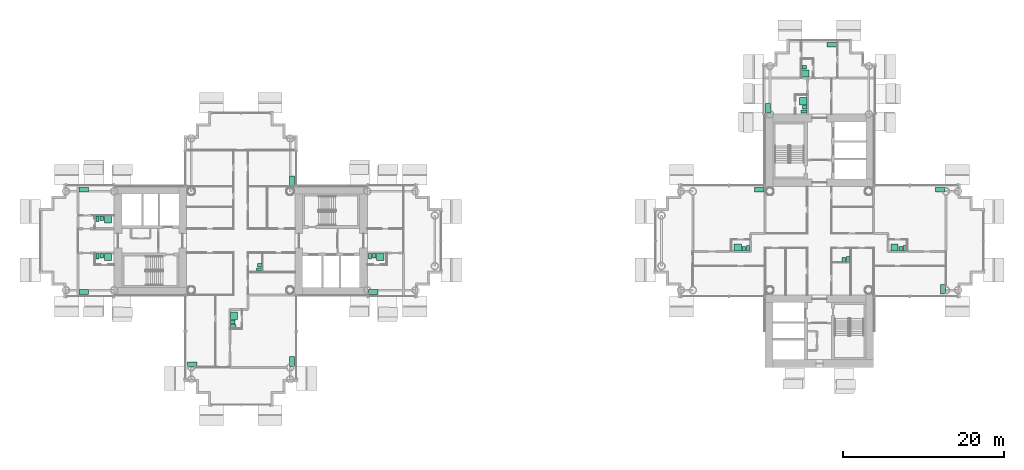
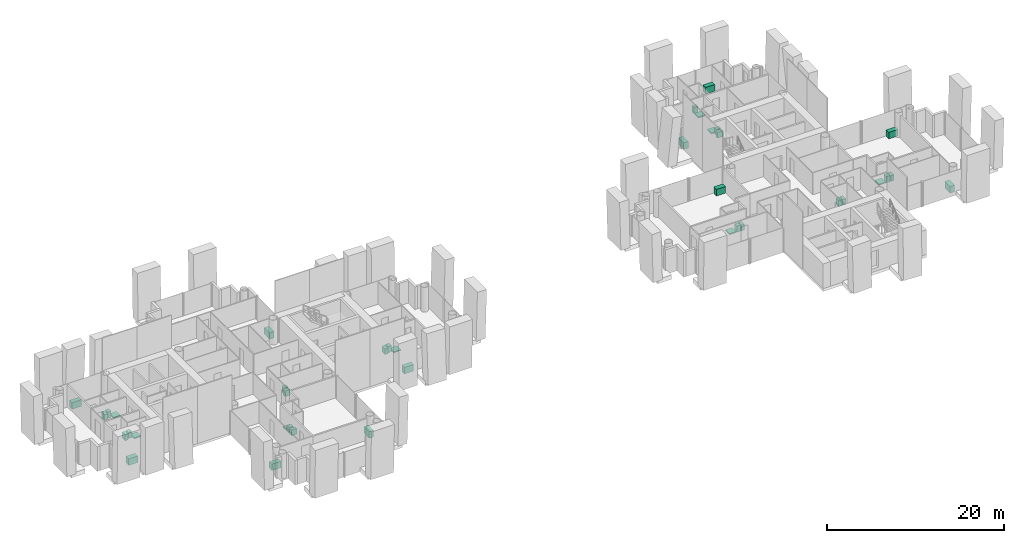
# One storey, part 20 of 20: 38 sanitary terminals.
"""IFC4 building model written with IfcOpenShell, lengths in metres."""

from ifc_helpers import new_model, si_unit, direction, frame, origin, origin_2d, place, context, subcontext, project, spatial, rectangle, extrude, material, type_object, element, save


model = new_model("IFC4")

# Units and contexts
model_context = context("Model", 3, precision=1e-05, world=origin(), true_north=direction((0.0, 1.0)))
body_context = subcontext(model_context, "Body", "Model", "MODEL_VIEW")
ifc_project = project(units=[si_unit("LENGTHUNIT", "METRE"), si_unit("AREAUNIT", "SQUARE_METRE"), si_unit("VOLUMEUNIT", "CUBIC_METRE"), si_unit("PLANEANGLEUNIT", "RADIAN"), si_unit("MASSUNIT", "GRAM", prefix="KILO")], contexts=[model_context])

# Site, building, storey
site_placement = place(None, origin())
site = spatial("IfcSite", under=ifc_project, at=site_placement, CompositionType="ELEMENT")
building_placement = place(site_placement, origin())
building = spatial("IfcBuilding", under=site, at=building_placement, Name="Ipe Terrace Towers", CompositionType="ELEMENT")
storey_placement = place(building_placement, frame((0.0, 0.0, 120.800048828125)))
storey = spatial("IfcBuildingStorey", under=building, at=storey_placement, Name="L33", CompositionType="ELEMENT", Elevation=120.800048828125)

# Sanitary terminals
ifc_material_1 = material(Name="Stainless sink unit", Category="metal")
sanitary_terminal_type_1 = type_object("IfcSanitaryTerminalType", Name="Kitchen sink unit", PredefinedType="SINK", material=ifc_material_1)
for number, where, z_axis, x_axis, name in (
    (1, (-29.6201171875, 7.469970703125, 0.0), (0.0, 0.0, 1.0), (0.0, -1.0, 0.0), "Kitchen sink unit"),
    (2, (-29.6201171875, -15.030029296875, 0.0), (0.0, 0.0, 1.0), (0.0, -1.0, 0.0), "Kitchen sink unit"),
    (3, (-42.030029296875, -15.3798828125, 0.0), (0.0, 0.0, 1.0), (-1.0, 0.0, 0.0), "Kitchen sink unit"),
    (4, (-19.530029296875, -6.3798828125, 0.0), (0.0, 0.0, 1.0), (-1.0, 0.0, 0.0), "Kitchen sink unit"),
    (5, (-55.530029296875, -6.3798828125, 0.0), (0.0, 0.0, 1.0), (-1.0, 0.0, 0.0), "Kitchen sink unit"),
    (6, (-55.530029296875, 6.3798828125, 0.0), (0.0, 0.0, 1.0), (1.0, 0.0, 0.0), "Kitchen sink unit"),
    (7, (28.530029296875, 6.3798828125, 0.0), (0.0, 0.0, 1.0), (1.0, 0.0, 0.0), "Kitchen sink unit"),
    (8, (51.030029296875, 6.3798828125, 0.0), (0.0, 0.0, 1.0), (1.0, 0.0, 0.0), "Kitchen sink unit"),
    (9, (51.3798828125, -6.030029296875, 0.0), (0.0, 0.0, 1.0), (0.0, -1.0, 0.0), "Kitchen sink unit"),
    (10, (29.6201171875, 16.469970703125, 0.0), (0.0, 0.0, 1.0), (0.0, 1.0, 0.0), "Kitchen sink unit"),
    (11, (37.530029296875, 24.3798828125, 0.0), (0.0, 0.0, 1.0), (1.0, 0.0, 0.0), "Kitchen sink unit"),
):
    element("IfcSanitaryTerminal", number, at=place(storey_placement, frame(where, z_axis=z_axis, x_axis=x_axis)), inside=storey, type_object=sanitary_terminal_type_1, Name=name, PredefinedType="SINK", context=body_context, shape_type="SweptSolid", body=[
        extrude(rectangle(XDim=1.199951171875, YDim=0.60009765625, at=origin_2d()), origin(), (0.0, 0.0, 1.0), 0.89990234375),
    ])
ifc_material_2 = material(Name="Acrylic", Category="plastic")
sanitary_terminal_type_2 = type_object("IfcSanitaryTerminalType", Name="Shower tray", PredefinedType="SHOWER", material=ifc_material_2)
for number, where, z_axis, x_axis, name in (
    (12, (-36.830078125, -9.330078125, 0.0), (0.0, 0.0, 1.0), (1.0, 0.0, 0.0), "Shower tray"),
    (13, (-18.6298828125, -2.02001953125, 0.0), (0.0, 0.0, 1.0), (0.0, -1.0, 0.0), "Shower tray"),
    (14, (-52.530029296875, -2.02001953125, 0.0), (0.0, 0.0, 1.0), (0.0, -1.0, 0.0), "Shower tray"),
    (15, (-52.530029296875, 2.6298828125, 0.0), (0.0, 0.0, 1.0), (0.0, -1.0, 0.0), "Shower tray"),
    (16, (25.830078125, -0.830078125, 0.0), (0.0, 0.0, 1.0), (0.0, 1.0, 0.0), "Shower tray"),
    (17, (45.330078125, -0.830078125, 0.0), (0.0, 0.0, 1.0), (0.0, 1.0, 0.0), "Shower tray"),
    (18, (33.97998046875, 17.3701171875, 0.0), (0.0, 0.0, 1.0), (-1.0, 0.0, 0.0), "Shower tray"),
    (19, (34.27001953125, 20.820068359375, 0.0), (0.0, 0.0, 1.0), (1.0, 0.0, 0.0), "Shower tray"),
):
    element("IfcSanitaryTerminal", number, at=place(storey_placement, frame(where, z_axis=z_axis, x_axis=x_axis)), inside=storey, type_object=sanitary_terminal_type_2, Name=name, PredefinedType="SHOWER", context=body_context, shape_type="SweptSolid", body=[
        extrude(rectangle(XDim=0.89990234375, YDim=0.89990234375, at=origin_2d()), origin(), (0.0, 0.0, 1.0), 0.14990234375),
    ])
ifc_material_3 = material(Name="Vitreous china", Category="ceramic")
sanitary_terminal_type_3 = type_object("IfcSanitaryTerminalType", Name="Wash basin", PredefinedType="WASHHANDBASIN", material=ifc_material_3)
for number, where, z_axis, x_axis, name in (
    (20, (-33.64501953125, -3.054931640625, 0.0), (0.0, 0.0, 1.0), (-1.0, 0.0, 0.0), "Wash basin"),
    (21, (-37.0048828125, -10.10498046875, 0.0), (0.0, 0.0, 1.0), (1.0, 0.0, 0.0), "Wash basin"),
    (22, (-19.405029296875, -1.844970703125, 0.0), (0.0, 0.0, 1.0), (0.0, -1.0, 0.0), "Wash basin"),
    (23, (-53.304931640625, -1.844970703125, 0.0), (0.0, 0.0, 1.0), (0.0, -1.0, 0.0), "Wash basin"),
    (24, (-53.304931640625, 2.804931640625, 0.0), (0.0, 0.0, 1.0), (0.0, -1.0, 0.0), "Wash basin"),
    (25, (39.054931640625, -2.35498046875, 0.0), (0.0, 0.0, 1.0), (0.0, 1.0, 0.0), "Wash basin"),
    (26, (26.60498046875, -1.0048828125, 0.0), (0.0, 0.0, 1.0), (0.0, 1.0, 0.0), "Wash basin"),
    (27, (46.10498046875, -1.0048828125, 0.0), (0.0, 0.0, 1.0), (0.0, 1.0, 0.0), "Wash basin"),
    (28, (34.155029296875, 16.594970703125, 0.0), (0.0, 0.0, 1.0), (-1.0, 0.0, 0.0), "Wash basin"),
    (29, (34.094970703125, 21.594970703125, 0.0), (0.0, 0.0, 1.0), (1.0, 0.0, 0.0), "Wash basin"),
):
    element("IfcSanitaryTerminal", number, at=place(storey_placement, frame(where, z_axis=z_axis, x_axis=x_axis)), inside=storey, type_object=sanitary_terminal_type_3, Name=name, PredefinedType="WASHHANDBASIN", context=body_context, shape_type="SweptSolid", body=[
        extrude(rectangle(XDim=0.550048828125, YDim=0.449951171875, at=origin_2d()), origin(), (0.0, 0.0, 1.0), 0.85009765625),
    ])
ifc_material_4 = material(Name="Vitreous china", Category="ceramic")
sanitary_terminal_type_4 = type_object("IfcSanitaryTerminalType", Name="Water closet", PredefinedType="TOILETPAN", material=ifc_material_4)
for number, where, z_axis, x_axis, name in (
    (30, (-33.719970703125, -3.580078125, 0.0), (0.0, 0.0, 1.0), (-1.0, 0.0, 0.0), "Water closet"),
    (31, (-36.929931640625, -10.6298828125, 0.0), (0.0, 0.0, 1.0), (1.0, 0.0, 0.0), "Water closet"),
    (32, (-19.929931640625, -1.919921875, 0.0), (0.0, 0.0, 1.0), (0.0, -1.0, 0.0), "Water closet"),
    (33, (-53.830078125, -1.919921875, 0.0), (0.0, 0.0, 1.0), (0.0, -1.0, 0.0), "Water closet"),
    (34, (-53.830078125, 2.72998046875, 0.0), (0.0, 0.0, 1.0), (0.0, -1.0, 0.0), "Water closet"),
    (35, (39.580078125, -2.280029296875, 0.0), (0.0, 0.0, 1.0), (0.0, 1.0, 0.0), "Water closet"),
    (36, (27.1298828125, -0.929931640625, 0.0), (0.0, 0.0, 1.0), (0.0, 1.0, 0.0), "Water closet"),
    (37, (46.6298828125, -0.929931640625, 0.0), (0.0, 0.0, 1.0), (0.0, 1.0, 0.0), "Water closet"),
    (38, (34.080078125, 16.070068359375, 0.0), (0.0, 0.0, 1.0), (-1.0, 0.0, 0.0), "Water closet"),
):
    element("IfcSanitaryTerminal", number, at=place(storey_placement, frame(where, z_axis=z_axis, x_axis=x_axis)), inside=storey, type_object=sanitary_terminal_type_4, Name=name, PredefinedType="TOILETPAN", context=body_context, shape_type="SweptSolid", body=[
        extrude(rectangle(XDim=0.699951171875, YDim=0.39990234375, at=origin_2d()), origin(), (0.0, 0.0, 1.0), 0.780029296875),
    ])

save(model, "model.ifc")
